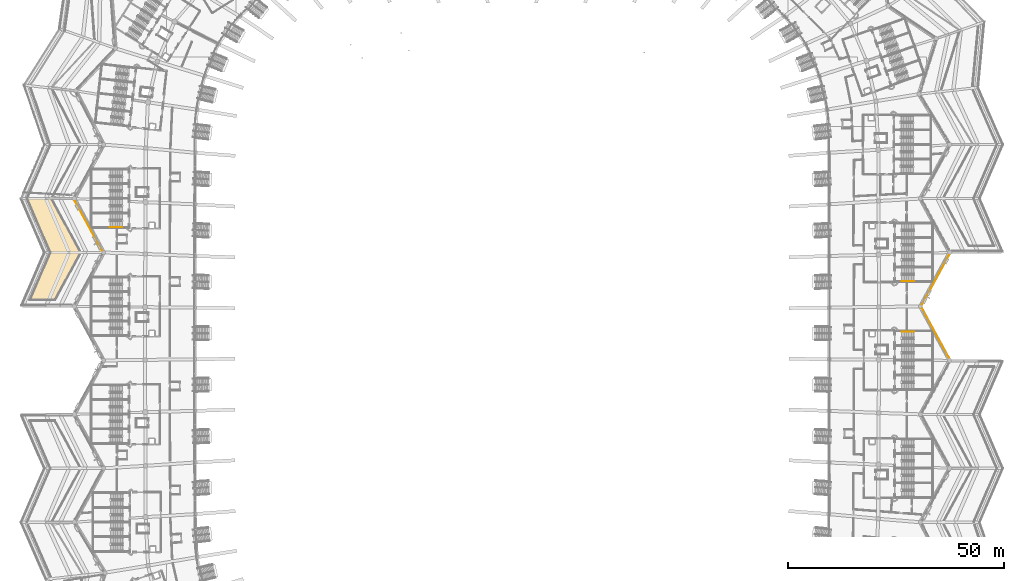
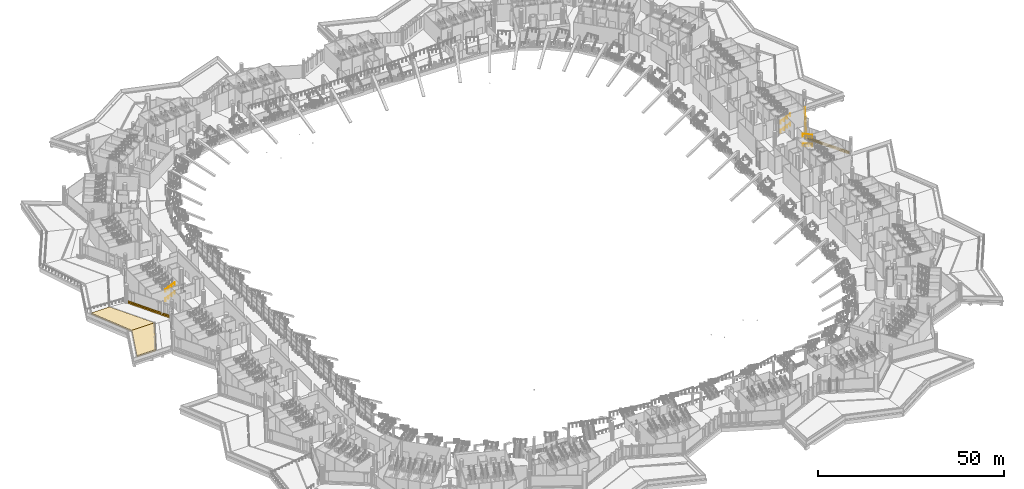
# One storey, part 142 of 173: 8 coverings, 6 railings.
"""IFC4 building model written with IfcOpenShell, lengths in metres."""

from ifc_helpers import new_model, si_unit, direction, frame, origin, origin_2d, place, context, subcontext, project, spatial, polyline, rectangle, circle, outline, extrude, material, layer, layer_set, type_object, element, save


model = new_model("IFC4")

# Units and contexts
model_context = context("Model", 3, precision=1e-05, world=origin(), true_north=direction((0.0, 1.0)))
body_context = subcontext(model_context, "Body", "Model", "MODEL_VIEW")
ifc_project = project(units=[si_unit("LENGTHUNIT", "METRE"), si_unit("AREAUNIT", "SQUARE_METRE"), si_unit("VOLUMEUNIT", "CUBIC_METRE"), si_unit("PLANEANGLEUNIT", "RADIAN"), si_unit("MASSUNIT", "GRAM", prefix="KILO")], contexts=[model_context])

# Site, building, storey
site_placement = place(None, origin())
site = spatial("IfcSite", under=ifc_project, at=site_placement, CompositionType="ELEMENT")
building_placement = place(site_placement, origin())
building = spatial("IfcBuilding", under=site, at=building_placement, Name="Meseta Stadium", CompositionType="ELEMENT")
storey_placement = place(building_placement, frame((0.0, 0.0, 18.0)))
storey = spatial("IfcBuildingStorey", under=building, at=storey_placement, Name="L03", CompositionType="ELEMENT", Elevation=18.0)

# Coverings
ifc_material_1 = material(Name="Guadarrama granite cladding", Category="masonry")
ifc_layer_1 = layer(ifc_material_1, 0.06005859375)
ifc_layer_set_1 = layer_set([ifc_layer_1], Name="Granite plinth cladding 60")
covering_type_1 = type_object("IfcCoveringType", Name="Granite plinth cladding 60", PredefinedType="CLADDING", material=ifc_layer_set_1)
for number, where, z_axis, x_axis, name in (
    (1, (98.124267578125, 0.095947265625, 0.0), (0.0, 0.0, 1.0), (0.47786723231, -0.878432073802, 0.0), "Granite plinth L03 F04"),
    (2, (98.124267578125, 12.404052734375, 0.0), (0.0, 0.0, 1.0), (-0.47786723231, -0.878432073802, 0.0), "Granite plinth L03 F05"),
    (3, (-98.124267578125, 24.904052734375, 0.0), (0.0, 0.0, 1.0), (-0.47786723231, 0.878432073802, 0.0), "Granite plinth L03 F30"),
):
    element("IfcCovering", number, at=place(storey_placement, frame(where, z_axis=z_axis, x_axis=x_axis)), inside=storey, type_object=covering_type_1, Name=name, PredefinedType="CLADDING", context=body_context, shape_type="SweptSolid", body=[
        extrude(rectangle(XDim=13.040283203125, YDim=0.06005859375, at=origin_2d()), origin(), (0.0, 0.0, 1.0), 0.5),
    ])
ifc_material_2 = material(Name="Planting soil")
ifc_layer_2 = layer(ifc_material_2, 0.449951171875)
ifc_layer_set_2 = layer_set([ifc_layer_2], Name="Planting soil 450")
covering_type_2 = type_object("IfcCoveringType", Name="Planting soil 450", PredefinedType="FLOORING", material=ifc_layer_set_2)
covering_1_placement = place(storey_placement, origin())
element("IfcCovering", 4, at=covering_1_placement, inside=storey, type_object=covering_type_2, Name="Roof garden planting bed 4.1 panel 01", PredefinedType="FLOORING", context=body_context, shape_type="SweptSolid", body=[
    extrude(outline(polyline([(-112.365966796875, 31.25), (-106.966064453125, 18.75), (-99.8935546875, 18.75), (-106.693603515625, 31.25), (-112.365966796875, 31.25)])), origin(), (0.0, 0.0, 1.0), 0.449951171875),
])
covering_2_placement = place(storey_placement, origin())
element("IfcCovering", 5, at=covering_2_placement, inside=storey, type_object=covering_type_2, Name="Roof garden planting bed 4.1 panel 04", PredefinedType="FLOORING", context=body_context, shape_type="SweptSolid", body=[
    extrude(outline(polyline([(-99.8935546875, 18.75), (-106.966064453125, 18.75), (-111.718017578125, 7.75), (-105.87744140625, 7.75), (-99.8935546875, 18.75)])), origin(), (0.0, 0.0, 1.0), 0.449951171875),
])

# Railings
ifc_material_3 = material(Name="Steel S355", Category="steel")
railing_type = type_object("IfcRailingType", Name="Stair handrail 900", PredefinedType="HANDRAIL", material=ifc_material_3)
for number, where, name in (
    (6, (93.179931640625, 0.39990234375, 1.64990234375), "ST12 L03 handrail 2"),
    (7, (93.179931640625, 0.39990234375, 4.64990234375), "ST12 L03 handrail 4"),
):
    element("IfcRailing", number, at=place(storey_placement, frame(where)), inside=storey, type_object=railing_type, Name=name, PredefinedType="HANDRAIL", context=body_context, shape_type="SweptSolid", body=[
        extrude(circle(Radius=0.02392578125, at=origin_2d()), frame((0.0, 0.0, 0.8759765625), z_axis=(-0.905440498372, 0.0, 0.424473207528), x_axis=(0.0, -1.0, 0.0)), (0.0, 0.0, 1.0), 3.1806640625),
        extrude(circle(Radius=0.02099609375, at=origin_2d()), origin(), (0.0, 0.0, 1.0), 0.851806640625),
        extrude(circle(Radius=0.02099609375, at=origin_2d()), frame((-0.9599609375, 0.0, 0.449951171875)), (0.0, 0.0, 1.0), 0.851806640625),
        extrude(circle(Radius=0.02099609375, at=origin_2d()), frame((-1.919921875, 0.0, 0.900146484375)), (0.0, 0.0, 1.0), 0.851806640625),
        extrude(circle(Radius=0.02099609375, at=origin_2d()), frame((-2.8798828125, 0.0, 1.35009765625)), (0.0, 0.0, 1.0), 0.851806640625),
    ])
for number, where, name in (
    (8, (90.300048828125, 12.10009765625, 0.14990234375), "ST13 L03 handrail 1"),
    (9, (90.300048828125, 12.10009765625, 3.14990234375), "ST13 L03 handrail 3"),
    (10, (-93.179931640625, 24.60009765625, 1.64990234375), "ST64 L03 handrail 2"),
    (11, (-93.179931640625, 24.60009765625, 4.64990234375), "ST64 L03 handrail 4"),
):
    element("IfcRailing", number, at=place(storey_placement, frame(where)), inside=storey, type_object=railing_type, Name=name, PredefinedType="HANDRAIL", context=body_context, shape_type="SweptSolid", body=[
        extrude(circle(Radius=0.02392578125, at=origin_2d()), frame((0.0, 0.0, 0.8759765625), z_axis=(0.905440498372, 0.0, 0.424473207528), x_axis=(0.0, 1.0, 0.0)), (0.0, 0.0, 1.0), 3.1806640625),
        extrude(circle(Radius=0.02099609375, at=origin_2d()), origin(), (0.0, 0.0, 1.0), 0.851806640625),
        extrude(circle(Radius=0.02099609375, at=origin_2d()), frame((0.9599609375, 0.0, 0.449951171875)), (0.0, 0.0, 1.0), 0.851806640625),
        extrude(circle(Radius=0.02099609375, at=origin_2d()), frame((1.919921875, 0.0, 0.900146484375)), (0.0, 0.0, 1.0), 0.851806640625),
        extrude(circle(Radius=0.02099609375, at=origin_2d()), frame((2.8798828125, 0.0, 1.35009765625)), (0.0, 0.0, 1.0), 0.851806640625),
    ])

# Coverings
ifc_material_4 = material(Name="Precast concrete C40/50, terracotta pigment", Category="masonry")
ifc_layer_3 = layer(ifc_material_4, 0.080078125)
ifc_layer_set_3 = layer_set([ifc_layer_3], Name="Precast concrete C40/50, terracotta pigment")
covering_type_3 = type_object("IfcCoveringType", Name="Terracotta precast band 80", PredefinedType="CLADDING", material=ifc_layer_set_3)
for number, where, z_axis, x_axis, name in (
    (12, (98.133056640625, 0.100830078125, 0.5), (0.0, 0.0, 1.0), (0.47786723231, -0.878432073802, 0.0), "Terracotta band L03 F04"),
    (13, (98.133056640625, 12.399169921875, 0.5), (0.0, 0.0, 1.0), (-0.47786723231, -0.878432073802, 0.0), "Terracotta band L03 F05"),
    (14, (-98.133056640625, 24.899169921875, 0.5), (0.0, 0.0, 1.0), (-0.47786723231, 0.878432073802, 0.0), "Terracotta band L03 F30"),
):
    element("IfcCovering", number, at=place(storey_placement, frame(where, z_axis=z_axis, x_axis=x_axis)), inside=storey, type_object=covering_type_3, Name=name, PredefinedType="CLADDING", context=body_context, shape_type="SweptSolid", body=[
        extrude(rectangle(XDim=13.040283203125, YDim=0.080078125, at=origin_2d()), origin(), (0.0, 0.0, 1.0), 0.449951171875),
    ])

save(model, "model.ifc")
